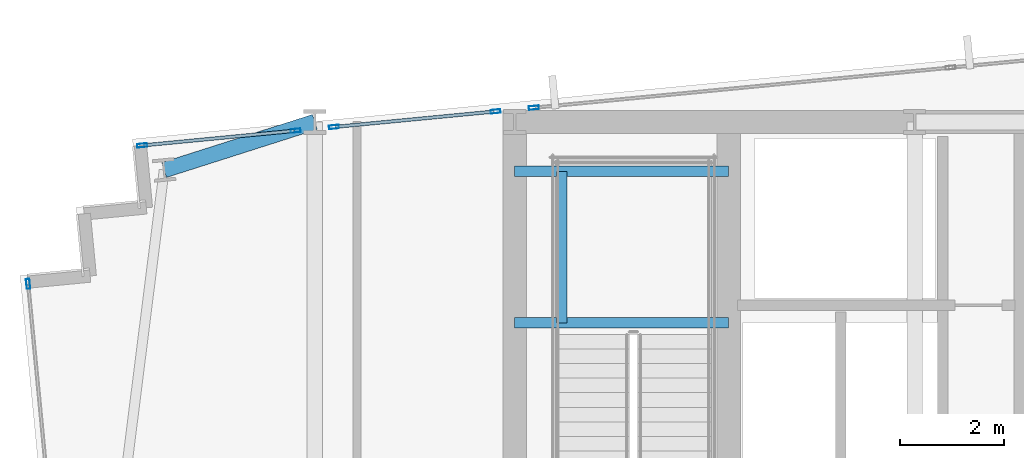
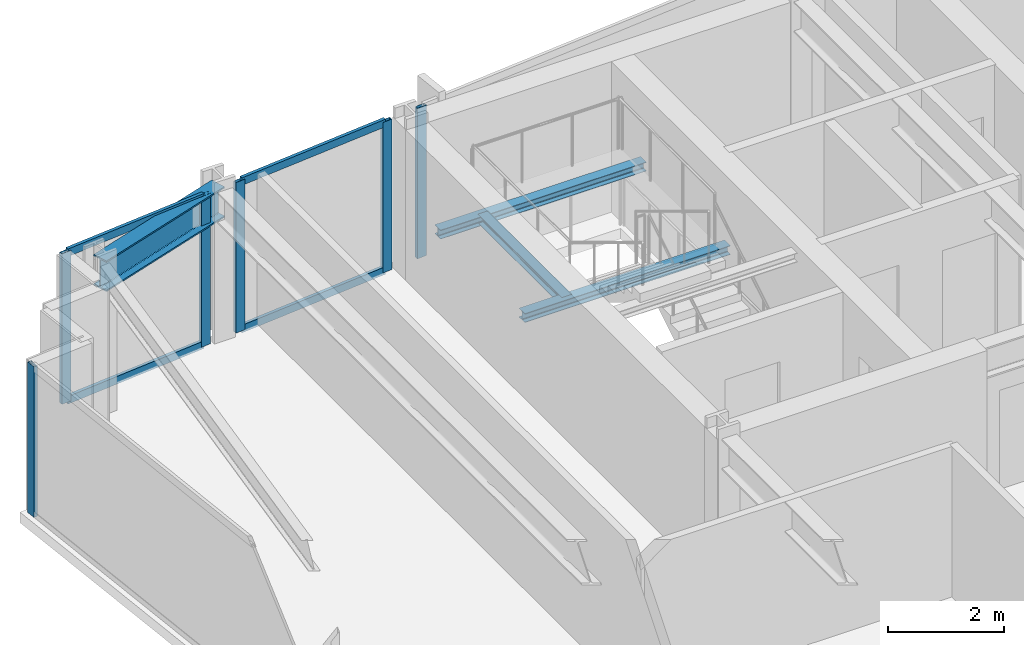
# One storey, part 17 of 33: 10 members, 4 beams, 4 elements without a shape of their own.
"""IFC4 building model written with IfcOpenShell, lengths in metres."""

from ifc_helpers import new_model, si_unit, direction, frame, origin, origin_2d, place, context, subcontext, project, spatial, hollow_rectangle, i_section, extrude, material, material_profile, profile_set, type_object, element, aggregate, save


model = new_model("IFC4")

# Units and contexts
model_context = context("Model", 3, precision=1e-05, world=origin(), true_north=direction((0.0, 1.0)))
body_context = subcontext(model_context, "Body", "Model", "MODEL_VIEW")
ifc_project = project(units=[si_unit("LENGTHUNIT", "METRE"), si_unit("AREAUNIT", "SQUARE_METRE"), si_unit("VOLUMEUNIT", "CUBIC_METRE"), si_unit("PLANEANGLEUNIT", "RADIAN"), si_unit("MASSUNIT", "GRAM", prefix="KILO")], contexts=[model_context])

# Site, building, storey
site_placement = place(None, origin())
site = spatial("IfcSite", under=ifc_project, at=site_placement, CompositionType="ELEMENT")
building_placement = place(site_placement, origin())
building = spatial("IfcBuilding", under=site, at=building_placement, Name="Yelkora Congress Tower", CompositionType="ELEMENT")
storey_placement = place(building_placement, frame((0.0, 0.0, 110.10009765625)))
storey = spatial("IfcBuildingStorey", under=building, at=storey_placement, Name="L29", CompositionType="ELEMENT", Elevation=110.10009765625)

# Beams
ifc_material_1 = material(Name="Steel S355J2", Category="steel")
ifc_material_profile_1 = material_profile(ifc_material_1, i_section(OverallWidth=0.300048828125, OverallDepth=0.64990234375, WebThickness=0.01611328125, FlangeThickness=0.031005859375, FilletRadius=0.027099609375, at=origin_2d()), Name="HEB 650")
ifc_profile_set_1 = profile_set([ifc_material_profile_1], Name="Steel S355J2")
beam_type_1 = type_object("IfcBeamType", Name="BM-GIRD-HEB650", PredefinedType="BEAM", material=ifc_profile_set_1)
beam_1_placement = place(storey_placement, frame((16.306884765625, 45.27734375, 2.85498046875), z_axis=(0.952727067409, 0.303827475759, 0.0), x_axis=(-0.303827475759, 0.952727067409, 0.0)))
element("IfcBeam", 1, at=beam_1_placement, inside=storey, type_object=beam_type_1, Name="L29 Primary Frame Girder N01", PredefinedType="BEAM", context=body_context, shape_type="SweptSolid", body=[
    extrude(i_section(OverallWidth=0.300048828125, OverallDepth=0.64990234375, WebThickness=0.01611328125, FlangeThickness=0.031005859375, FilletRadius=0.027099609375, at=origin_2d()), origin(), (0.0, 0.0, 1.0), 3.03662109375),
])
ifc_material_profile_2 = material_profile(ifc_material_1, i_section(OverallWidth=0.199951171875, OverallDepth=0.18994140625, WebThickness=0.006591796875, FlangeThickness=0.010009765625, FilletRadius=0.01806640625, at=origin_2d()), Name="HEA 200")
ifc_profile_set_2 = profile_set([ifc_material_profile_2], Name="Steel S355J2")
beam_type_2 = type_object("IfcBeamType", Name="BM-LAND-HEA200", PredefinedType="BEAM", material=ifc_profile_set_2)
for number, where, z_axis, x_axis, name in (
    (2, (23.0400390625, 42.340087890625, 1.384521484375), (1.0, 0.0, 0.0), (0.0, 1.0, 0.0), "ST-01 L29 Landing Header Beam 1S"),
    (3, (23.0400390625, 45.25, 1.384521484375), (1.0, 0.0, 0.0), (0.0, 1.0, 0.0), "ST-01 L29 Landing Header Beam 1N"),
):
    element("IfcBeam", number, at=place(storey_placement, frame(where, z_axis=z_axis, x_axis=x_axis)), inside=storey, type_object=beam_type_2, Name=name, PredefinedType="BEAM", context=body_context, shape_type="SweptSolid", body=[
        extrude(i_section(OverallWidth=0.199951171875, OverallDepth=0.18994140625, WebThickness=0.006591796875, FlangeThickness=0.010009765625, FilletRadius=0.01806640625, at=origin_2d()), origin(), (0.0, 0.0, 1.0), 4.10986328125),
    ])
beam_2_placement = place(storey_placement, frame((23.93994140625, 42.340087890625, 1.384521484375), z_axis=(0.0, 1.0, 0.0), x_axis=(-1.0, 0.0, 0.0)))
element("IfcBeam", 4, at=beam_2_placement, inside=storey, type_object=beam_type_2, Name="ST-01 L29 Landing Trimmer Beam 1M", PredefinedType="BEAM", context=body_context, shape_type="SweptSolid", body=[
    extrude(i_section(OverallWidth=0.199951171875, OverallDepth=0.18994140625, WebThickness=0.006591796875, FlangeThickness=0.010009765625, FilletRadius=0.01806640625, at=origin_2d()), origin(), (0.0, 0.0, 1.0), 2.909912109375),
])

# Curtain wall, member
ifc_material_2 = material(Name="Anodised aluminium and insulated glass", Category="aluminium")
curtain_wall_type = type_object("IfcCurtainWallType", Name="CW-SYS-B2", PredefinedType="NOTDEFINED", material=ifc_material_2)
curtain_wall_1_placement = place(storey_placement, origin())
curtain_wall_1 = element("IfcCurtainWall", 5, at=curtain_wall_1_placement, inside=storey, type_object=curtain_wall_type, Name="L29 Unitised Curtain Wall 5", PredefinedType="NOTDEFINED")
ifc_material_3 = material(Name="Anodised aluminium 6063-T6", Category="aluminium")
ifc_material_profile_3 = material_profile(ifc_material_3, hollow_rectangle(XDim=0.070068359375, YDim=0.18994140625, WallThickness=0.00390625, at=origin_2d()), Name="ALU 70x190x4")
ifc_profile_set_3 = profile_set([ifc_material_profile_3], Name="Anodised aluminium 6063-T6")
member_type_1 = type_object("IfcMemberType", Name="MEM-ML-B2", PredefinedType="MULLION", material=ifc_profile_set_3)
member_1_placement = place(storey_placement, frame((13.6943359375, 43.091796875, 0.0), z_axis=(0.0, 0.0, 1.0), x_axis=(-0.995396507508, -0.095842541913, 0.0)))
member_1 = element("IfcMember", 6, at=member_1_placement, type_object=member_type_1, Name="CW-B2 mullion 5", PredefinedType="MULLION", context=body_context, shape_type="SweptSolid", body=[
    extrude(hollow_rectangle(XDim=0.070068359375, YDim=0.18994140625, WallThickness=0.00390625, at=origin_2d()), origin(), (0.0, 0.0, 1.0), 3.179931640625),
])
aggregate(curtain_wall_1, [member_1])

# Curtain wall, members
curtain_wall_2_placement = place(storey_placement, origin())
curtain_wall_2 = element("IfcCurtainWall", 7, at=curtain_wall_2_placement, inside=storey, type_object=curtain_wall_type, Name="L29 Unitised Curtain Wall 10 (1)", PredefinedType="NOTDEFINED")
member_2_placement = place(storey_placement, frame((15.884521484375, 45.7490234375, 0.0), z_axis=(0.0, 0.0, 1.0), x_axis=(-0.095839346142, 0.99539681521, 0.0)))
member_2 = element("IfcMember", 8, at=member_2_placement, type_object=member_type_1, Name="CW-B2 mullion 1", PredefinedType="MULLION", context=body_context, shape_type="SweptSolid", body=[
    extrude(hollow_rectangle(XDim=0.070068359375, YDim=0.18994140625, WallThickness=0.00390625, at=origin_2d()), origin(), (0.0, 0.0, 1.0), 3.179931640625),
])
member_3_placement = place(storey_placement, frame((18.833251953125, 46.032958984375, 0.0), z_axis=(0.0, 0.0, 1.0), x_axis=(-0.095839346142, 0.99539681521, 0.0)))
member_3 = element("IfcMember", 9, at=member_3_placement, type_object=member_type_1, Name="CW-B2 mullion 2", PredefinedType="MULLION", context=body_context, shape_type="SweptSolid", body=[
    extrude(hollow_rectangle(XDim=0.070068359375, YDim=0.18994140625, WallThickness=0.00390625, at=origin_2d()), origin(), (0.0, 0.0, 1.0), 3.179931640625),
])

curtain_wall_3_placement = place(storey_placement, origin())
curtain_wall_3 = element("IfcCurtainWall", 10, at=curtain_wall_3_placement, inside=storey, type_object=curtain_wall_type, Name="L29 Unitised Curtain Wall 10 (2)", PredefinedType="NOTDEFINED")
member_4_placement = place(storey_placement, frame((19.56689453125, 46.103515625, 0.0), z_axis=(0.0, 0.0, 1.0), x_axis=(-0.095841399764, 0.99539661748, 0.0)))
member_4 = element("IfcMember", 11, at=member_4_placement, type_object=member_type_1, Name="CW-B2 mullion 1", PredefinedType="MULLION", context=body_context, shape_type="SweptSolid", body=[
    extrude(hollow_rectangle(XDim=0.070068359375, YDim=0.18994140625, WallThickness=0.00390625, at=origin_2d()), origin(), (0.0, 0.0, 1.0), 3.179931640625),
])
member_5_placement = place(storey_placement, frame((22.673095703125, 46.402587890625, 0.0), z_axis=(0.0, 0.0, 1.0), x_axis=(-0.095841399764, 0.99539661748, 0.0)))
member_5 = element("IfcMember", 12, at=member_5_placement, type_object=member_type_1, Name="CW-B2 mullion 2", PredefinedType="MULLION", context=body_context, shape_type="SweptSolid", body=[
    extrude(hollow_rectangle(XDim=0.070068359375, YDim=0.18994140625, WallThickness=0.00390625, at=origin_2d()), origin(), (0.0, 0.0, 1.0), 3.179931640625),
])

# Curtain wall, member
curtain_wall_4_placement = place(storey_placement, origin())
curtain_wall_4 = element("IfcCurtainWall", 13, at=curtain_wall_4_placement, inside=storey, type_object=curtain_wall_type, Name="L29 Unitised Curtain Wall 10 (3)", PredefinedType="NOTDEFINED")
member_6_placement = place(storey_placement, frame((23.40673828125, 46.473388671875, 0.0), z_axis=(0.0, 0.0, 1.0), x_axis=(-0.095844238468, 0.995396344153, 0.0)))
member_6 = element("IfcMember", 14, at=member_6_placement, type_object=member_type_1, Name="CW-B2 mullion 1", PredefinedType="MULLION", context=body_context, shape_type="SweptSolid", body=[
    extrude(hollow_rectangle(XDim=0.070068359375, YDim=0.18994140625, WallThickness=0.00390625, at=origin_2d()), origin(), (0.0, 0.0, 1.0), 3.179931640625),
])
aggregate(curtain_wall_4, [member_6])

# Member
ifc_material_profile_4 = material_profile(ifc_material_3, hollow_rectangle(XDim=0.06494140625, YDim=0.159912109375, WallThickness=0.00390625, at=origin_2d()), Name="ALU 65x160x4")
ifc_profile_set_4 = profile_set([ifc_material_profile_4], Name="Anodised aluminium 6063-T6")
member_type_2 = type_object("IfcMemberType", Name="MEM-TR-B2", PredefinedType="USERDEFINED", material=ifc_profile_set_4)
member_7_placement = place(storey_placement, frame((15.91943359375, 45.75244140625, 0.032470703125), z_axis=(0.995399744854, 0.095808913705, 0.0), x_axis=(-0.095808913705, 0.995399744854, 0.0)))
member_7 = element("IfcMember", 15, at=member_7_placement, type_object=member_type_2, Name="CW-B2 transom 1.1", ObjectType="TRANSOM", PredefinedType="USERDEFINED", context=body_context, shape_type="SweptSolid", body=[
    extrude(hollow_rectangle(XDim=0.06494140625, YDim=0.159912109375, WallThickness=0.00390625, at=origin_2d()), origin(), (0.0, 0.0, 1.0), 2.89208984375),
])

member_8_placement = place(storey_placement, frame((15.91943359375, 45.75244140625, 3.1474609375), z_axis=(0.995399744854, 0.095808913705, 0.0), x_axis=(-0.095808913705, 0.995399744854, 0.0)))
member_8 = element("IfcMember", 16, at=member_8_placement, type_object=member_type_2, Name="CW-B2 transom 1.2", ObjectType="TRANSOM", PredefinedType="USERDEFINED", context=body_context, shape_type="SweptSolid", body=[
    extrude(hollow_rectangle(XDim=0.06494140625, YDim=0.159912109375, WallThickness=0.00390625, at=origin_2d()), origin(), (0.0, 0.0, 1.0), 2.89208984375),
])

aggregate(curtain_wall_2, [member_2, member_3, member_7, member_8])

member_9_placement = place(storey_placement, frame((19.6015625, 46.10693359375, 0.032470703125), z_axis=(0.995401842144, 0.095787121557, 0.0), x_axis=(-0.095787121557, 0.995401842144, 0.0)))
member_9 = element("IfcMember", 17, at=member_9_placement, type_object=member_type_2, Name="CW-B2 transom 1.1", ObjectType="TRANSOM", PredefinedType="USERDEFINED", context=body_context, shape_type="SweptSolid", body=[
    extrude(hollow_rectangle(XDim=0.06494140625, YDim=0.159912109375, WallThickness=0.00390625, at=origin_2d()), origin(), (0.0, 0.0, 1.0), 3.05078125),
])

member_10_placement = place(storey_placement, frame((19.6015625, 46.10693359375, 3.1474609375), z_axis=(0.995401842144, 0.095787121557, 0.0), x_axis=(-0.095787121557, 0.995401842144, 0.0)))
member_10 = element("IfcMember", 18, at=member_10_placement, type_object=member_type_2, Name="CW-B2 transom 1.2", ObjectType="TRANSOM", PredefinedType="USERDEFINED", context=body_context, shape_type="SweptSolid", body=[
    extrude(hollow_rectangle(XDim=0.06494140625, YDim=0.159912109375, WallThickness=0.00390625, at=origin_2d()), origin(), (0.0, 0.0, 1.0), 3.05078125),
])

aggregate(curtain_wall_3, [member_4, member_5, member_9, member_10])

save(model, "model.ifc")
